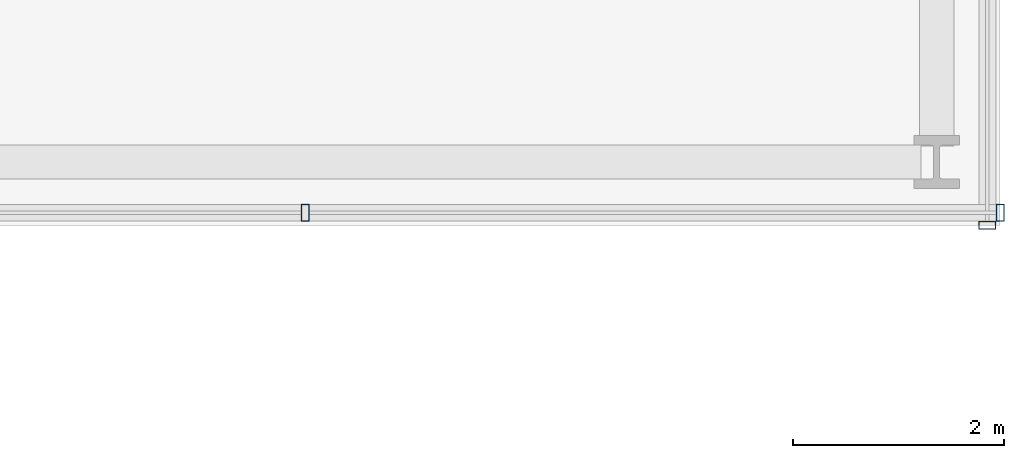
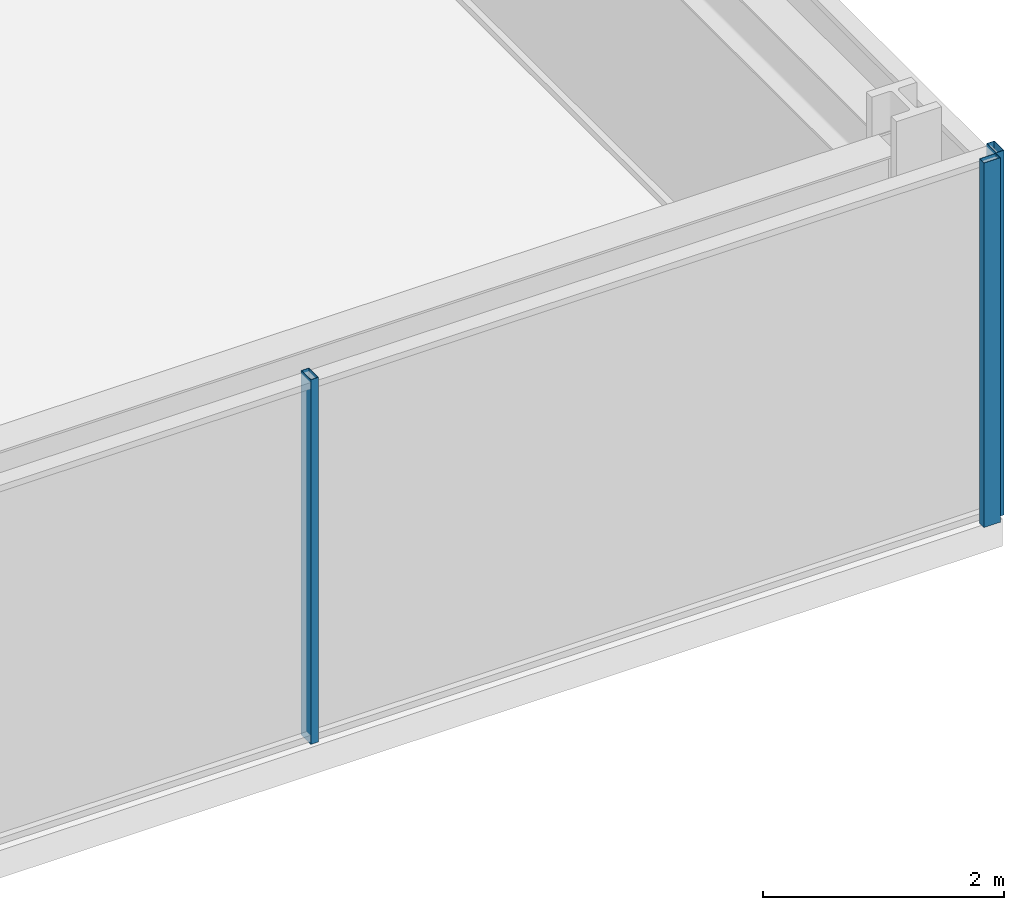
# One storey, part 15 of 39: 3 members, 2 elements without a shape of their own.
"""IFC4 building model written with IfcOpenShell, lengths in metres."""

from ifc_helpers import new_model, si_unit, direction, frame, origin, origin_2d, place, context, subcontext, project, spatial, hollow_rectangle, extrude, material, material_profile, profile_set, type_object, element, aggregate, save


model = new_model("IFC4")

# Units and contexts
model_context = context("Model", 3, precision=1e-05, world=origin(), true_north=direction((0.0, 1.0)))
body_context = subcontext(model_context, "Body", "Model", "MODEL_VIEW")
ifc_project = project(units=[si_unit("LENGTHUNIT", "METRE"), si_unit("AREAUNIT", "SQUARE_METRE"), si_unit("VOLUMEUNIT", "CUBIC_METRE"), si_unit("PLANEANGLEUNIT", "RADIAN"), si_unit("MASSUNIT", "GRAM", prefix="KILO")], contexts=[model_context])

# Site, building, storey
site_placement = place(None, origin())
site = spatial("IfcSite", under=ifc_project, at=site_placement, CompositionType="ELEMENT")
building_placement = place(site_placement, origin())
building = spatial("IfcBuilding", under=site, at=building_placement, Name="Kolvaren Belvedere", CompositionType="ELEMENT")
storey_placement = place(building_placement, frame((0.0, 0.0, 15.199951171875)))
storey = spatial("IfcBuildingStorey", under=building, at=storey_placement, Name="L04", CompositionType="ELEMENT", Elevation=15.199951171875)

# Curtain wall, members
ifc_material_1 = material(Name="Anodised pale-metal aluminium AA 6063-T6", Category="aluminium")
curtain_wall_type = type_object("IfcCurtainWallType", Name="CW-POD-A", PredefinedType="NOTDEFINED", material=ifc_material_1)
curtain_wall_1_placement = place(storey_placement, origin())
curtain_wall_1 = element("IfcCurtainWall", 1, at=curtain_wall_1_placement, inside=storey, type_object=curtain_wall_type, Name="L04 Unitised Curtain Wall FCW-L04-S1", PredefinedType="NOTDEFINED")
ifc_material_2 = material(Name="Anodised pale-metal aluminium AA 6063-T6", Category="aluminium")
ifc_material_profile = material_profile(ifc_material_2, hollow_rectangle(XDim=0.074951171875, YDim=0.159912109375, WallThickness=0.00439453125, at=origin_2d()), Name="ALU-MUL-160X75")
ifc_profile_set = profile_set([ifc_material_profile], Name="Anodised pale-metal aluminium AA 6063-T6")
member_type = type_object("IfcMemberType", Name="CW-MUL-160", PredefinedType="MULLION", material=ifc_profile_set)
member_1_placement = place(storey_placement, frame((28.0, -28.280029296875, 0.0), z_axis=(0.0, 0.0, 1.0), x_axis=(1.0, 0.0, 0.0)))
member_1 = element("IfcMember", 2, at=member_1_placement, type_object=member_type, Name="FCW-L04-S1 Unitised Mullion 1", PredefinedType="MULLION", context=body_context, shape_type="SweptSolid", body=[
    extrude(hollow_rectangle(XDim=0.074951171875, YDim=0.159912109375, WallThickness=0.00439453125, at=origin_2d()), origin(), (0.0, 0.0, 1.0), 3.699951171875),
])
member_2_placement = place(storey_placement, frame((21.419921875, -28.280029296875, 0.0), z_axis=(0.0, 0.0, 1.0), x_axis=(1.0, 0.0, 0.0)))
member_2 = element("IfcMember", 3, at=member_2_placement, type_object=member_type, Name="FCW-L04-S1 Unitised Mullion 2", PredefinedType="MULLION", context=body_context, shape_type="SweptSolid", body=[
    extrude(hollow_rectangle(XDim=0.074951171875, YDim=0.159912109375, WallThickness=0.00439453125, at=origin_2d()), origin(), (0.0, 0.0, 1.0), 3.699951171875),
])
aggregate(curtain_wall_1, [member_1, member_2])

# Curtain wall, member
curtain_wall_2_placement = place(storey_placement, origin())
curtain_wall_2 = element("IfcCurtainWall", 4, at=curtain_wall_2_placement, inside=storey, type_object=curtain_wall_type, Name="L04 Unitised Curtain Wall FCW-L04-E", PredefinedType="NOTDEFINED")
member_3_placement = place(storey_placement, frame((27.8798828125, -28.39990234375, 0.0), z_axis=(0.0, 0.0, 1.0), x_axis=(0.0, 1.0, 0.0)))
member_3 = element("IfcMember", 5, at=member_3_placement, type_object=member_type, Name="FCW-L04-E Unitised Mullion 5", PredefinedType="MULLION", context=body_context, shape_type="SweptSolid", body=[
    extrude(hollow_rectangle(XDim=0.074951171875, YDim=0.159912109375, WallThickness=0.00439453125, at=origin_2d()), origin(), (0.0, 0.0, 1.0), 3.699951171875),
])
aggregate(curtain_wall_2, [member_3])

save(model, "model.ifc")
